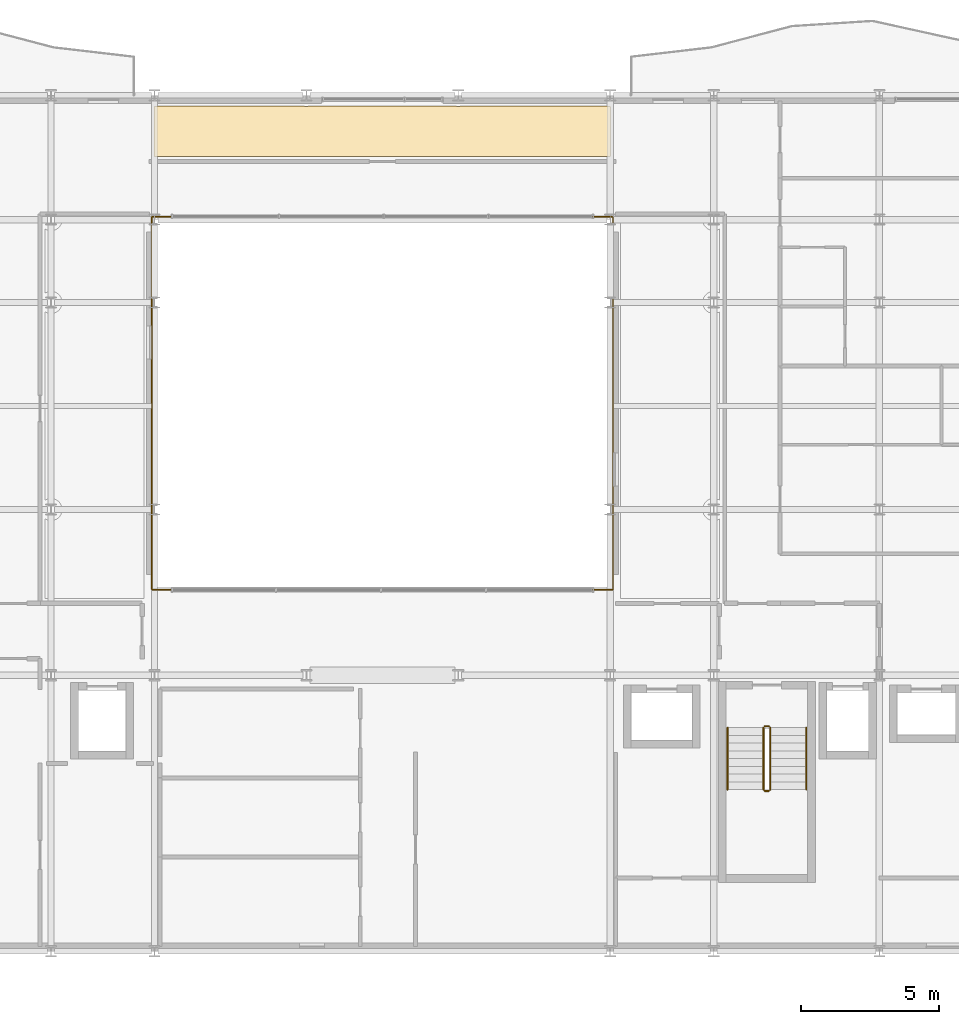
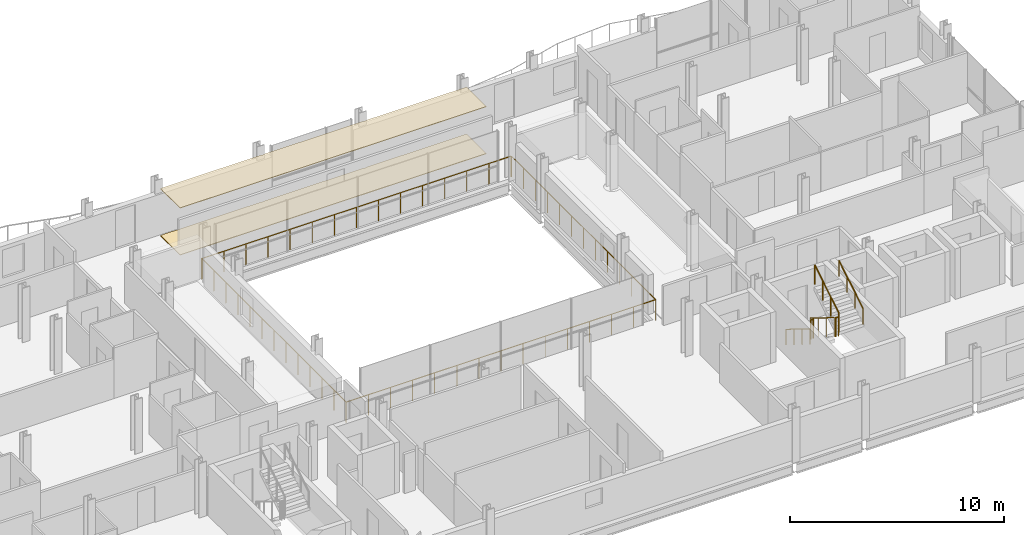
# One storey, part 40 of 41: 8 railings, 2 coverings.
"""IFC4 building model written with IfcOpenShell, lengths in metres."""

import ifcopenshell
import ifcopenshell.guid

model = None  # the IFC model being written
_history = None  # IfcOwnerHistory: only IFC2X3 demands one
_inside = {}  # id of a spatial element -> (the spatial element, [elements in it])
_under = {}  # id of a project, library or spatial element -> (it, [spatial elements below it])
_declared = {}  # id of a project -> (the project, [libraries it declares])
_typed = {}  # id of a type object -> (the type object, [elements of that type])
_made_of = {}  # id of a material, layer set ... -> (it, [elements and type objects made of it])


def new_model(schema):
    """Start an empty IFC model of exactly this schema.

    Asked for "IFC4X3", IfcOpenShell would pick the latest addendum, in which some entities
    have other attributes; the version numbers below select the first issue.
    IFC2X3 requires an IfcOwnerHistory on every rooted entity: one is made here for all.
    """
    global model, _history
    if schema == "IFC4X3":
        model = ifcopenshell.file(schema_version=(4, 3, 0, 0))
    else:
        model = ifcopenshell.file(schema=schema)
    _inside.clear()
    _under.clear()
    _declared.clear()
    _typed.clear()
    _made_of.clear()
    _history = None
    if model.schema == "IFC2X3":
        org = make("IfcOrganization", Name="unknown")
        user = make(
            "IfcPersonAndOrganization",
            ThePerson=make("IfcPerson", FamilyName="unknown"),
            TheOrganization=org,
        )
        app = make(
            "IfcApplication",
            ApplicationDeveloper=org,
            Version="unknown",
            ApplicationFullName="unknown",
            ApplicationIdentifier="unknown",
        )
        _history = make(
            "IfcOwnerHistory",
            OwningUser=user,
            OwningApplication=app,
            ChangeAction="ADDED",
            CreationDate=0,
        )
    return model


def make(cls, **values):
    """One entity of the class cls with the attributes given. An attribute that is None is left unset."""
    return model.create_entity(
        cls, **{name: value for name, value in values.items() if value is not None}
    )


def rooted(cls, **values):
    """An entity with a GlobalId (a new one), such as an element, a storey or a relation."""
    return make(cls, GlobalId=ifcopenshell.guid.new(), OwnerHistory=_history, **values)


def si_unit(unit_type, name, prefix=None):
    """IfcSIUnit, for example si_unit("LENGTHUNIT", "METRE", prefix="MILLI")."""
    return make("IfcSIUnit", UnitType=unit_type, Prefix=prefix, Name=name)


def assignment(units):
    """IfcUnitAssignment: the units of a project."""
    return None if units is None else make("IfcUnitAssignment", Units=units)


def point(xyz):
    """IfcCartesianPoint."""
    return None if xyz is None else make("IfcCartesianPoint", Coordinates=xyz)


def direction(xyz):
    """IfcDirection."""
    return None if xyz is None else make("IfcDirection", DirectionRatios=xyz)


def frame(location, z_axis=None, x_axis=None):
    """IfcAxis2Placement3D, a coordinate frame: its origin and axes. An axis left out is left unset."""
    return make(
        "IfcAxis2Placement3D",
        Location=point(location),
        Axis=direction(z_axis),
        RefDirection=direction(x_axis),
    )


def frame_2d(location, x_axis=None):
    """IfcAxis2Placement2D, a coordinate frame in the plane: its origin and x axis."""
    return make(
        "IfcAxis2Placement2D", Location=point(location), RefDirection=direction(x_axis)
    )


def origin():
    """The frame at (0, 0, 0) with its axes left unset."""
    return frame((0.0, 0.0, 0.0))


def origin_2d():
    """The frame at (0, 0) in the plane with its x axis left unset."""
    return frame_2d((0.0, 0.0))


def place(relative_to, where):
    """IfcLocalPlacement: puts the frame where relative to a parent placement (None: the world)."""
    return make(
        "IfcLocalPlacement", PlacementRelTo=relative_to, RelativePlacement=where
    )


def context(
    kind, dimensions, precision=None, world=None, true_north=None, identifier=None
):
    """IfcGeometricRepresentationContext, for example the 3D "Model" context."""
    return make(
        "IfcGeometricRepresentationContext",
        ContextIdentifier=identifier,
        ContextType=kind,
        CoordinateSpaceDimension=dimensions,
        Precision=precision,
        WorldCoordinateSystem=world,
        TrueNorth=true_north,
    )


def subcontext(parent, identifier, kind, view, scale=None):
    """IfcGeometricRepresentationSubContext, for example "Body" below "Model"."""
    return make(
        "IfcGeometricRepresentationSubContext",
        ContextIdentifier=identifier,
        ContextType=kind,
        ParentContext=parent,
        TargetScale=scale,
        TargetView=view,
    )


def project(units=None, contexts=None):
    """IfcProject with its units and contexts."""
    return rooted(
        "IfcProject",
        Name="project",
        RepresentationContexts=contexts,
        UnitsInContext=assignment(units),
    )


def spatial(cls, under=None, at=None, **own):
    """A site, building, storey or space (cls), placed at a placement, below another one or the project."""
    s = rooted(cls, ObjectPlacement=at, **own)
    if under is not None:
        _under.setdefault(under.id(), (under, []))[1].append(s)
    return s


def polyline(points):
    """IfcPolyline through the points."""
    return make("IfcPolyline", Points=[point(p) for p in points])


def profile(cls, at=None, kind="AREA", **sizes):
    """A parametric profile (cls). Its sizes go by their IFC names, for example OverallWidth=200.0."""
    return make(cls, ProfileType=kind, Position=at, **sizes)


def circle(**sizes):
    """IfcCircleProfileDef."""
    return profile("IfcCircleProfileDef", **sizes)


def outline(outer, holes=None, kind="AREA"):
    """IfcArbitraryClosedProfileDef: a profile drawn as a closed curve; with holes, ...WithVoids."""
    if holes is None:
        return make("IfcArbitraryClosedProfileDef", ProfileType=kind, OuterCurve=outer)
    return make(
        "IfcArbitraryProfileDefWithVoids",
        ProfileType=kind,
        OuterCurve=outer,
        InnerCurves=holes,
    )


def extrude(swept, where, along, depth):
    """IfcExtrudedAreaSolid: the profile swept, set in the frame where, extruded along a direction by depth."""
    return make(
        "IfcExtrudedAreaSolid",
        SweptArea=swept,
        Position=where,
        ExtrudedDirection=direction(along),
        Depth=depth,
    )


def shape(context_of_items, identifier, shape_type, items):
    """IfcShapeRepresentation: the items that make up one representation, for example the "Body"."""
    return make(
        "IfcShapeRepresentation",
        ContextOfItems=context_of_items,
        RepresentationIdentifier=identifier,
        RepresentationType=shape_type,
        Items=items,
    )


def material(Name=None, Category=None):
    """IfcMaterial."""
    return make("IfcMaterial", Name=Name, Category=Category)


def layer(
    of_material, thickness, ventilated=None, Name=None, Category=None, Priority=None
):
    """IfcMaterialLayer: one layer of a wall or slab, of a material (None: an air gap)."""
    return make(
        "IfcMaterialLayer",
        Material=of_material,
        LayerThickness=thickness,
        IsVentilated=ventilated,
        Name=Name,
        Category=Category,
        Priority=Priority,
    )


def layer_set(layers, Name=None):
    """IfcMaterialLayerSet."""
    return make("IfcMaterialLayerSet", MaterialLayers=layers, LayerSetName=Name)


def made_of(thing, what):
    """Note that an element or type object is made of a material, layer set ...; save() writes the relation."""
    if what is not None:
        _made_of.setdefault(what.id(), (what, []))[1].append(thing)
    return thing


def type_object(cls, material=None, **own):
    """A type object (cls), such as IfcWallType, which elements share."""
    return made_of(rooted(cls, **own), material)


def element(
    cls,
    number,
    at=None,
    inside=None,
    cuts=None,
    type_object=None,
    material=None,
    context=None,
    identifier="Body",
    shape_type=None,
    held_by="IfcProductDefinitionShape",
    body=None,
    shapes=None,
    **own,
):
    """One element of the class cls, such as IfcWall. Its Tag is "e" and its number.

    at: its placement. inside: the storey or other place that contains it. cuts: it is an
    opening in that element (IfcRelVoidsElement). A single representation is given by context,
    identifier, shape_type and body (its items); several are given by shapes. held_by: the class
    of the entity that holds the representations. save() writes the other relations.
    """
    e = rooted(cls, Tag="e%d" % number, ObjectPlacement=at, **own)
    if body is not None:
        shapes = [shape(context, identifier, shape_type, body)]
    if shapes is not None:
        e.Representation = make(held_by, Representations=shapes)
    if inside is not None:
        _inside.setdefault(inside.id(), (inside, []))[1].append(e)
    if cuts is not None:
        rooted(
            "IfcRelVoidsElement", RelatingBuildingElement=cuts, RelatedOpeningElement=e
        )
    if type_object is not None:
        _typed.setdefault(type_object.id(), (type_object, []))[1].append(e)
    return made_of(e, material)


def aggregate(whole, parts):
    """IfcRelAggregates: a whole, such as a stair, and the parts it consists of."""
    return rooted("IfcRelAggregates", RelatingObject=whole, RelatedObjects=parts)


def save(model, path):
    """Write the relations noted so far, then the file.

    IfcRelAggregates (storeys below a building ...), IfcRelContainedInSpatialStructure (elements
    in a storey), IfcRelDefinesByType, IfcRelAssociatesMaterial and IfcRelDeclares: one each for
    every whole, place, type object, material and project.
    """
    for whole, parts in _under.values():
        aggregate(whole, parts)
    for where, things in _inside.values():
        rooted(
            "IfcRelContainedInSpatialStructure",
            RelatedElements=things,
            RelatingStructure=where,
        )
    for kind, things in _typed.values():
        rooted("IfcRelDefinesByType", RelatedObjects=things, RelatingType=kind)
    for what, things in _made_of.values():
        rooted("IfcRelAssociatesMaterial", RelatedObjects=things, RelatingMaterial=what)
    for by, libraries in _declared.values():
        rooted("IfcRelDeclares", RelatingContext=by, RelatedDefinitions=libraries)
    model.write(path)


model = new_model("IFC4")

# Units and contexts
model_context = context("Model", 3, precision=1e-05, world=origin(), true_north=direction((0.0, 1.0)))
body_context = subcontext(model_context, "Body", "Model", "MODEL_VIEW")
ifc_project = project(units=[si_unit("LENGTHUNIT", "METRE"), si_unit("AREAUNIT", "SQUARE_METRE"), si_unit("VOLUMEUNIT", "CUBIC_METRE"), si_unit("PLANEANGLEUNIT", "RADIAN"), si_unit("MASSUNIT", "GRAM", prefix="KILO")], contexts=[model_context])

# Site, building, storey
site_placement = place(None, origin())
site = spatial("IfcSite", under=ifc_project, at=site_placement, CompositionType="ELEMENT")
building_placement = place(site_placement, origin())
building = spatial("IfcBuilding", under=site, at=building_placement, Name="Brevholm Reach", CompositionType="ELEMENT")
storey_placement = place(building_placement, frame((0.0, 0.0, 138.699951171875)))
storey = spatial("IfcBuildingStorey", under=building, at=storey_placement, Name="L41", CompositionType="ELEMENT", Elevation=138.699951171875)

# Coverings
ifc_material_1 = material(Name="Moisture-Resistant Skimmed Gypsum Plasterboard Ceiling", Category="gypsum")
ifc_layer_1 = layer(ifc_material_1, 0.030029296875)
ifc_layer_set_1 = layer_set([ifc_layer_1], Name="Moisture-Resistant Skimmed Gypsum Plasterboard Ceiling")
covering_type_1 = type_object("IfcCoveringType", Name="COV-CLG-GYP", PredefinedType="CEILING", material=ifc_layer_set_1)
covering_1_placement = place(storey_placement, frame((0.0, 0.0, 2.679931640625)))
element("IfcCovering", 1, at=covering_1_placement, inside=storey, type_object=covering_type_1, Name="L41 Suspended Ceiling L41-58", PredefinedType="CEILING", context=body_context, shape_type="SweptSolid", body=[
    extrude(outline(polyline([(27.126220703125, 30.6201171875), (27.1337890625, 30.6171875), (27.172119140625, 30.607666015625), (27.210693359375, 30.601806640625), (27.25, 30.60009765625), (27.289306640625, 30.601806640625), (27.327880859375, 30.607666015625), (27.3662109375, 30.6171875), (27.373779296875, 30.6201171875), (32.626220703125, 30.6201171875), (32.6337890625, 30.6171875), (32.672119140625, 30.607666015625), (32.710693359375, 30.601806640625), (32.75, 30.60009765625), (32.789306640625, 30.601806640625), (32.827880859375, 30.607666015625), (32.8662109375, 30.6171875), (32.873779296875, 30.6201171875), (38.126220703125, 30.6201171875), (38.1337890625, 30.6171875), (38.172119140625, 30.607666015625), (38.210693359375, 30.601806640625), (38.25, 30.60009765625), (38.26611328125, 30.600830078125), (38.26611328125, 28.783935546875), (21.73388671875, 28.783935546875), (21.73388671875, 30.600830078125), (21.75, 30.60009765625), (21.789306640625, 30.601806640625), (21.827880859375, 30.607666015625), (21.8662109375, 30.6171875), (21.873779296875, 30.6201171875), (27.126220703125, 30.6201171875)])), origin(), (0.0, 0.0, 1.0), 0.030029296875),
])
ifc_material_2 = material(Name="Honed Portland-Aggregate Resin Terrazzo Flooring", Category="concrete")
ifc_layer_2 = layer(ifc_material_2, 0.031982421875)
ifc_layer_set_2 = layer_set([ifc_layer_2], Name="Honed Portland-Aggregate Resin Terrazzo Flooring")
covering_type_2 = type_object("IfcCoveringType", Name="COV-FLR-TRZ", PredefinedType="FLOORING", material=ifc_layer_set_2)
covering_2_placement = place(storey_placement, origin())
element("IfcCovering", 2, at=covering_2_placement, inside=storey, type_object=covering_type_2, Name="L41 Floor Finish L41-58", PredefinedType="FLOORING", context=body_context, shape_type="SweptSolid", body=[
    extrude(outline(polyline([(27.126220703125, 30.6201171875), (27.1337890625, 30.6171875), (27.172119140625, 30.607666015625), (27.210693359375, 30.601806640625), (27.25, 30.60009765625), (27.289306640625, 30.601806640625), (27.327880859375, 30.607666015625), (27.3662109375, 30.6171875), (27.373779296875, 30.6201171875), (32.626220703125, 30.6201171875), (32.6337890625, 30.6171875), (32.672119140625, 30.607666015625), (32.710693359375, 30.601806640625), (32.75, 30.60009765625), (32.789306640625, 30.601806640625), (32.827880859375, 30.607666015625), (32.8662109375, 30.6171875), (32.873779296875, 30.6201171875), (38.126220703125, 30.6201171875), (38.1337890625, 30.6171875), (38.172119140625, 30.607666015625), (38.210693359375, 30.601806640625), (38.25, 30.60009765625), (38.26611328125, 30.600830078125), (38.26611328125, 28.783935546875), (21.73388671875, 28.783935546875), (21.73388671875, 30.600830078125), (21.75, 30.60009765625), (21.789306640625, 30.601806640625), (21.827880859375, 30.607666015625), (21.8662109375, 30.6171875), (21.873779296875, 30.6201171875), (27.126220703125, 30.6201171875)])), origin(), (0.0, 0.0, 1.0), 0.031982421875),
])

# Railings
ifc_material_3 = material(Name="Brushed Stainless Steel EN 1.4401 Continuous Handrail", Category="steel")
railing_type_1 = type_object("IfcRailingType", Name="RAL-HND-950", PredefinedType="HANDRAIL", material=ifc_material_3)
railing_1_placement = place(storey_placement, frame((42.5, 8.10009765625, 0.17236328125)))
element("IfcRailing", 3, at=railing_1_placement, inside=storey, type_object=railing_type_1, Name="L41 ST-2 stair handrail 1", PredefinedType="HANDRAIL", context=body_context, shape_type="SweptSolid", body=[
    extrude(circle(Radius=0.02392578125, at=origin_2d()), frame((0.0, 0.0, 0.8857421875), z_axis=(0.0, -0.85178898068, 0.523885037382), x_axis=(1.0, 0.0, 0.0)), (0.0, 0.0, 1.0), 2.629638671875),
    extrude(circle(Radius=0.02099609375, at=origin_2d()), origin(), (0.0, 0.0, 1.0), 0.86181640625),
    extrude(circle(Radius=0.02099609375, at=origin_2d()), frame((0.0, -0.74658203125, 0.459228515625)), (0.0, 0.0, 1.0), 0.86181640625),
    extrude(circle(Radius=0.02099609375, at=origin_2d()), frame((0.0, -1.493408203125, 0.91845703125)), (0.0, 0.0, 1.0), 0.86181640625),
    extrude(circle(Radius=0.02099609375, at=origin_2d()), frame((0.0, -2.239990234375, 1.377685546875)), (0.0, 0.0, 1.0), 0.86181640625),
])
railing_2_placement = place(storey_placement, frame((45.35009765625, 5.860107421875, 1.72216796875)))
element("IfcRailing", 4, at=railing_2_placement, inside=storey, type_object=railing_type_1, Name="L41 ST-2 stair handrail 2", PredefinedType="HANDRAIL", context=body_context, shape_type="SweptSolid", body=[
    extrude(circle(Radius=0.02392578125, at=origin_2d()), frame((0.0, 0.0, 0.8857421875), z_axis=(0.0, 0.851747552033, 0.523952390591), x_axis=(-1.0, 0.0, 0.0)), (0.0, 0.0, 1.0), 2.6298828125),
    extrude(circle(Radius=0.02099609375, at=origin_2d()), origin(), (0.0, 0.0, 1.0), 0.86181640625),
    extrude(circle(Radius=0.02099609375, at=origin_2d()), frame((0.0, 0.74658203125, 0.459228515625)), (0.0, 0.0, 1.0), 0.86181640625),
    extrude(circle(Radius=0.02099609375, at=origin_2d()), frame((0.0, 1.493408203125, 0.918701171875)), (0.0, 0.0, 1.0), 0.86181640625),
    extrude(circle(Radius=0.02099609375, at=origin_2d()), frame((0.0, 2.239990234375, 1.3779296875)), (0.0, 0.0, 1.0), 0.86181640625),
])
ifc_material_4 = material(Name="Painted Tubular Galvanised Steel S275JR Stair Guard", Category="steel")
railing_type_2 = type_object("IfcRailingType", Name="RAL-STG-1120", PredefinedType="BALUSTRADE", material=ifc_material_4)
railing_3_placement = place(storey_placement, frame((43.800048828125, 8.10009765625, 0.17236328125)))
element("IfcRailing", 5, at=railing_3_placement, inside=storey, type_object=railing_type_2, Name="L41 ST-2 stair guard 1", PredefinedType="BALUSTRADE", context=body_context, shape_type="SweptSolid", body=[
    extrude(circle(Radius=0.02392578125, at=origin_2d()), frame((0.0, 0.0, 1.076171875), z_axis=(0.0, -0.85178898068, 0.523885037382), x_axis=(1.0, 0.0, 0.0)), (0.0, 0.0, 1.0), 2.629638671875),
    extrude(circle(Radius=0.02099609375, at=origin_2d()), origin(), (0.0, 0.0, 1.0), 1.052001953125),
    extrude(circle(Radius=0.02099609375, at=origin_2d()), frame((0.0, -0.74658203125, 0.459228515625)), (0.0, 0.0, 1.0), 1.052001953125),
    extrude(circle(Radius=0.02099609375, at=origin_2d()), frame((0.0, -1.493408203125, 0.91845703125)), (0.0, 0.0, 1.0), 1.052001953125),
    extrude(circle(Radius=0.02099609375, at=origin_2d()), frame((0.0, -2.239990234375, 1.377685546875)), (0.0, 0.0, 1.0), 1.052001953125),
])
railing_4_placement = place(storey_placement, frame((43.85009765625, 5.81005859375, 1.550048828125)))
element("IfcRailing", 6, at=railing_4_placement, inside=storey, type_object=railing_type_2, Name="L41 ST-2 stair guard 2", PredefinedType="BALUSTRADE", context=body_context, shape_type="SweptSolid", body=[
    extrude(circle(Radius=0.02392578125, at=origin_2d()), frame((0.0, 0.0, 1.076171875), z_axis=(1.0, 0.0, 0.0), x_axis=(0.0, 1.0, 0.0)), (0.0, 0.0, 1.0), 0.14990234375),
    extrude(circle(Radius=0.02099609375, at=origin_2d()), origin(), (0.0, 0.0, 1.0), 1.052001953125),
    extrude(circle(Radius=0.02099609375, at=origin_2d()), frame((0.14990234375, 0.0, 0.0)), (0.0, 0.0, 1.0), 1.052001953125),
])
railing_5_placement = place(storey_placement, frame((44.050048828125, 5.860107421875, 1.72216796875)))
element("IfcRailing", 7, at=railing_5_placement, inside=storey, type_object=railing_type_2, Name="L41 ST-2 stair guard 3", PredefinedType="BALUSTRADE", context=body_context, shape_type="SweptSolid", body=[
    extrude(circle(Radius=0.02392578125, at=origin_2d()), frame((0.0, 0.0, 1.076171875), z_axis=(0.0, 0.851747552033, 0.523952390591), x_axis=(-1.0, 0.0, 0.0)), (0.0, 0.0, 1.0), 2.6298828125),
    extrude(circle(Radius=0.02099609375, at=origin_2d()), origin(), (0.0, 0.0, 1.0), 1.052001953125),
    extrude(circle(Radius=0.02099609375, at=origin_2d()), frame((0.0, 0.74658203125, 0.459228515625)), (0.0, 0.0, 1.0), 1.052001953125),
    extrude(circle(Radius=0.02099609375, at=origin_2d()), frame((0.0, 1.493408203125, 0.918701171875)), (0.0, 0.0, 1.0), 1.052001953125),
    extrude(circle(Radius=0.02099609375, at=origin_2d()), frame((0.0, 2.239990234375, 1.3779296875)), (0.0, 0.0, 1.0), 1.052001953125),
])
railing_6_placement = place(storey_placement, frame((43.85009765625, 8.14990234375, 0.0)))
element("IfcRailing", 8, at=railing_6_placement, inside=storey, type_object=railing_type_2, Name="L41 ST-2 stair guard 4", PredefinedType="BALUSTRADE", context=body_context, shape_type="SweptSolid", body=[
    extrude(circle(Radius=0.02392578125, at=origin_2d()), frame((0.0, 0.0, 1.076171875), z_axis=(1.0, 0.0, 0.0), x_axis=(0.0, 1.0, 0.0)), (0.0, 0.0, 1.0), 0.14990234375),
    extrude(circle(Radius=0.02099609375, at=origin_2d()), origin(), (0.0, 0.0, 1.0), 1.052001953125),
    extrude(circle(Radius=0.02099609375, at=origin_2d()), frame((0.14990234375, 0.0, 0.0)), (0.0, 0.0, 1.0), 1.052001953125),
])
ifc_material_5 = material(Name="Brushed Stainless Steel EN 1.4401 and Laminated Glass", Category="steel")
railing_type_3 = type_object("IfcRailingType", Name="RAL-TERR-1200", PredefinedType="BALUSTRADE", material=ifc_material_5)
railing_7_placement = place(storey_placement, frame((21.64990234375, 13.10009765625, 0.0)))
element("IfcRailing", 9, at=railing_7_placement, inside=storey, type_object=railing_type_3, Name="L41 Guard Balustrade RAL-L41-AT-VOID-SW", PredefinedType="BALUSTRADE", context=body_context, shape_type="SweptSolid", body=[
    extrude(circle(Radius=0.02392578125, at=origin_2d()), frame((0.0, 0.0, 1.17578125), z_axis=(1.0, 0.0, 0.0), x_axis=(0.0, 1.0, 0.0)), (0.0, 0.0, 1.0), 16.7001953125),
    extrude(circle(Radius=0.02392578125, at=origin_2d()), frame((16.7001953125, 0.0, 1.17578125), z_axis=(0.0, 1.0, 0.0), x_axis=(-1.0, 0.0, 0.0)), (0.0, 0.0, 1.0), 13.47998046875),
    extrude(circle(Radius=0.02099609375, at=origin_2d()), origin(), (0.0, 0.0, 1.0), 1.15185546875),
    extrude(circle(Radius=0.02099609375, at=origin_2d()), frame((1.19287109375, 0.0, 0.0)), (0.0, 0.0, 1.0), 1.15185546875),
    extrude(circle(Radius=0.02099609375, at=origin_2d()), frame((2.3857421875, 0.0, 0.0)), (0.0, 0.0, 1.0), 1.15185546875),
    extrude(circle(Radius=0.02099609375, at=origin_2d()), frame((3.57861328125, 0.0, 0.0)), (0.0, 0.0, 1.0), 1.15185546875),
    extrude(circle(Radius=0.02099609375, at=origin_2d()), frame((4.771484375, 0.0, 0.0)), (0.0, 0.0, 1.0), 1.15185546875),
    extrude(circle(Radius=0.02099609375, at=origin_2d()), frame((5.96435546875, 0.0, 0.0)), (0.0, 0.0, 1.0), 1.15185546875),
    extrude(circle(Radius=0.02099609375, at=origin_2d()), frame((7.1572265625, 0.0, 0.0)), (0.0, 0.0, 1.0), 1.15185546875),
    extrude(circle(Radius=0.02099609375, at=origin_2d()), frame((8.35009765625, 0.0, 0.0)), (0.0, 0.0, 1.0), 1.15185546875),
    extrude(circle(Radius=0.02099609375, at=origin_2d()), frame((9.54296875, 0.0, 0.0)), (0.0, 0.0, 1.0), 1.15185546875),
    extrude(circle(Radius=0.02099609375, at=origin_2d()), frame((10.73583984375, 0.0, 0.0)), (0.0, 0.0, 1.0), 1.15185546875),
    extrude(circle(Radius=0.02099609375, at=origin_2d()), frame((11.9287109375, 0.0, 0.0)), (0.0, 0.0, 1.0), 1.15185546875),
    extrude(circle(Radius=0.02099609375, at=origin_2d()), frame((13.12158203125, 0.0, 0.0)), (0.0, 0.0, 1.0), 1.15185546875),
    extrude(circle(Radius=0.02099609375, at=origin_2d()), frame((14.314453125, 0.0, 0.0)), (0.0, 0.0, 1.0), 1.15185546875),
    extrude(circle(Radius=0.02099609375, at=origin_2d()), frame((15.50732421875, 0.0, 0.0)), (0.0, 0.0, 1.0), 1.15185546875),
    extrude(circle(Radius=0.02099609375, at=origin_2d()), frame((16.7001953125, 0.0, 0.0)), (0.0, 0.0, 1.0), 1.15185546875),
    extrude(circle(Radius=0.02099609375, at=origin_2d()), frame((16.7001953125, 1.123291015625, 0.0)), (0.0, 0.0, 1.0), 1.15185546875),
    extrude(circle(Radius=0.02099609375, at=origin_2d()), frame((16.7001953125, 2.24658203125, 0.0)), (0.0, 0.0, 1.0), 1.15185546875),
    extrude(circle(Radius=0.02099609375, at=origin_2d()), frame((16.7001953125, 3.3701171875, 0.0)), (0.0, 0.0, 1.0), 1.15185546875),
    extrude(circle(Radius=0.02099609375, at=origin_2d()), frame((16.7001953125, 4.493408203125, 0.0)), (0.0, 0.0, 1.0), 1.15185546875),
    extrude(circle(Radius=0.02099609375, at=origin_2d()), frame((16.7001953125, 5.61669921875, 0.0)), (0.0, 0.0, 1.0), 1.15185546875),
    extrude(circle(Radius=0.02099609375, at=origin_2d()), frame((16.7001953125, 6.739990234375, 0.0)), (0.0, 0.0, 1.0), 1.15185546875),
    extrude(circle(Radius=0.02099609375, at=origin_2d()), frame((16.7001953125, 7.86328125, 0.0)), (0.0, 0.0, 1.0), 1.15185546875),
    extrude(circle(Radius=0.02099609375, at=origin_2d()), frame((16.7001953125, 8.986572265625, 0.0)), (0.0, 0.0, 1.0), 1.15185546875),
    extrude(circle(Radius=0.02099609375, at=origin_2d()), frame((16.7001953125, 10.10986328125, 0.0)), (0.0, 0.0, 1.0), 1.15185546875),
    extrude(circle(Radius=0.02099609375, at=origin_2d()), frame((16.7001953125, 11.2333984375, 0.0)), (0.0, 0.0, 1.0), 1.15185546875),
    extrude(circle(Radius=0.02099609375, at=origin_2d()), frame((16.7001953125, 12.356689453125, 0.0)), (0.0, 0.0, 1.0), 1.15185546875),
    extrude(circle(Radius=0.02099609375, at=origin_2d()), frame((16.7001953125, 13.47998046875, 0.0)), (0.0, 0.0, 1.0), 1.15185546875),
])
railing_8_placement = place(storey_placement, frame((38.330078125, 26.60009765625, 0.0)))
element("IfcRailing", 10, at=railing_8_placement, inside=storey, type_object=railing_type_3, Name="L41 Guard Balustrade RAL-L41-AT-VOID-NE", PredefinedType="BALUSTRADE", context=body_context, shape_type="SweptSolid", body=[
    extrude(circle(Radius=0.02392578125, at=origin_2d()), frame((0.0, 0.0, 1.17578125), z_axis=(-1.0, 0.0, 0.0), x_axis=(0.0, -1.0, 0.0)), (0.0, 0.0, 1.0), 16.68017578125),
    extrude(circle(Radius=0.02392578125, at=origin_2d()), frame((-16.68017578125, 0.0, 1.17578125), z_axis=(0.0, -1.0, 0.0), x_axis=(1.0, 0.0, 0.0)), (0.0, 0.0, 1.0), 13.47998046875),
    extrude(circle(Radius=0.02099609375, at=origin_2d()), origin(), (0.0, 0.0, 1.0), 1.15185546875),
    extrude(circle(Radius=0.02099609375, at=origin_2d()), frame((-1.19140625, 0.0, 0.0)), (0.0, 0.0, 1.0), 1.15185546875),
    extrude(circle(Radius=0.02099609375, at=origin_2d()), frame((-2.3828125, 0.0, 0.0)), (0.0, 0.0, 1.0), 1.15185546875),
    extrude(circle(Radius=0.02099609375, at=origin_2d()), frame((-3.57421875, 0.0, 0.0)), (0.0, 0.0, 1.0), 1.15185546875),
    extrude(circle(Radius=0.02099609375, at=origin_2d()), frame((-4.765869140625, 0.0, 0.0)), (0.0, 0.0, 1.0), 1.15185546875),
    extrude(circle(Radius=0.02099609375, at=origin_2d()), frame((-5.957275390625, 0.0, 0.0)), (0.0, 0.0, 1.0), 1.15185546875),
    extrude(circle(Radius=0.02099609375, at=origin_2d()), frame((-7.148681640625, 0.0, 0.0)), (0.0, 0.0, 1.0), 1.15185546875),
    extrude(circle(Radius=0.02099609375, at=origin_2d()), frame((-8.340087890625, 0.0, 0.0)), (0.0, 0.0, 1.0), 1.15185546875),
    extrude(circle(Radius=0.02099609375, at=origin_2d()), frame((-9.531494140625, 0.0, 0.0)), (0.0, 0.0, 1.0), 1.15185546875),
    extrude(circle(Radius=0.02099609375, at=origin_2d()), frame((-10.722900390625, 0.0, 0.0)), (0.0, 0.0, 1.0), 1.15185546875),
    extrude(circle(Radius=0.02099609375, at=origin_2d()), frame((-11.914306640625, 0.0, 0.0)), (0.0, 0.0, 1.0), 1.15185546875),
    extrude(circle(Radius=0.02099609375, at=origin_2d()), frame((-13.10595703125, 0.0, 0.0)), (0.0, 0.0, 1.0), 1.15185546875),
    extrude(circle(Radius=0.02099609375, at=origin_2d()), frame((-14.29736328125, 0.0, 0.0)), (0.0, 0.0, 1.0), 1.15185546875),
    extrude(circle(Radius=0.02099609375, at=origin_2d()), frame((-15.48876953125, 0.0, 0.0)), (0.0, 0.0, 1.0), 1.15185546875),
    extrude(circle(Radius=0.02099609375, at=origin_2d()), frame((-16.68017578125, 0.0, 0.0)), (0.0, 0.0, 1.0), 1.15185546875),
    extrude(circle(Radius=0.02099609375, at=origin_2d()), frame((-16.68017578125, -1.123291015625, 0.0)), (0.0, 0.0, 1.0), 1.15185546875),
    extrude(circle(Radius=0.02099609375, at=origin_2d()), frame((-16.68017578125, -2.24658203125, 0.0)), (0.0, 0.0, 1.0), 1.15185546875),
    extrude(circle(Radius=0.02099609375, at=origin_2d()), frame((-16.68017578125, -3.3701171875, 0.0)), (0.0, 0.0, 1.0), 1.15185546875),
    extrude(circle(Radius=0.02099609375, at=origin_2d()), frame((-16.68017578125, -4.493408203125, 0.0)), (0.0, 0.0, 1.0), 1.15185546875),
    extrude(circle(Radius=0.02099609375, at=origin_2d()), frame((-16.68017578125, -5.61669921875, 0.0)), (0.0, 0.0, 1.0), 1.15185546875),
    extrude(circle(Radius=0.02099609375, at=origin_2d()), frame((-16.68017578125, -6.739990234375, 0.0)), (0.0, 0.0, 1.0), 1.15185546875),
    extrude(circle(Radius=0.02099609375, at=origin_2d()), frame((-16.68017578125, -7.86328125, 0.0)), (0.0, 0.0, 1.0), 1.15185546875),
    extrude(circle(Radius=0.02099609375, at=origin_2d()), frame((-16.68017578125, -8.986572265625, 0.0)), (0.0, 0.0, 1.0), 1.15185546875),
    extrude(circle(Radius=0.02099609375, at=origin_2d()), frame((-16.68017578125, -10.10986328125, 0.0)), (0.0, 0.0, 1.0), 1.15185546875),
    extrude(circle(Radius=0.02099609375, at=origin_2d()), frame((-16.68017578125, -11.2333984375, 0.0)), (0.0, 0.0, 1.0), 1.15185546875),
    extrude(circle(Radius=0.02099609375, at=origin_2d()), frame((-16.68017578125, -12.356689453125, 0.0)), (0.0, 0.0, 1.0), 1.15185546875),
    extrude(circle(Radius=0.02099609375, at=origin_2d()), frame((-16.68017578125, -13.47998046875, 0.0)), (0.0, 0.0, 1.0), 1.15185546875),
])

save(model, "model.ifc")
